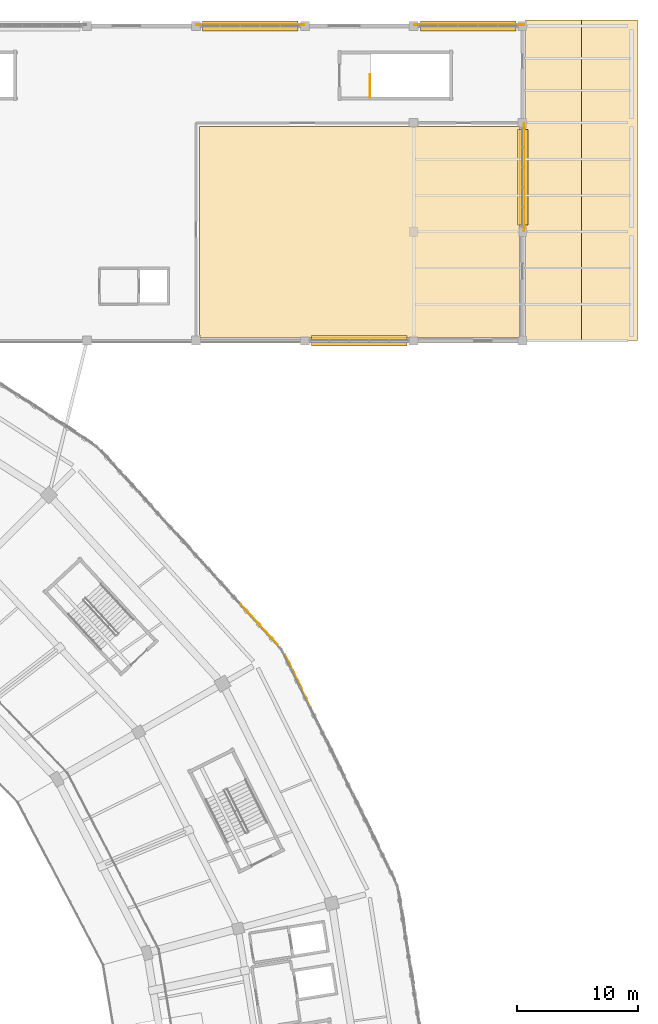
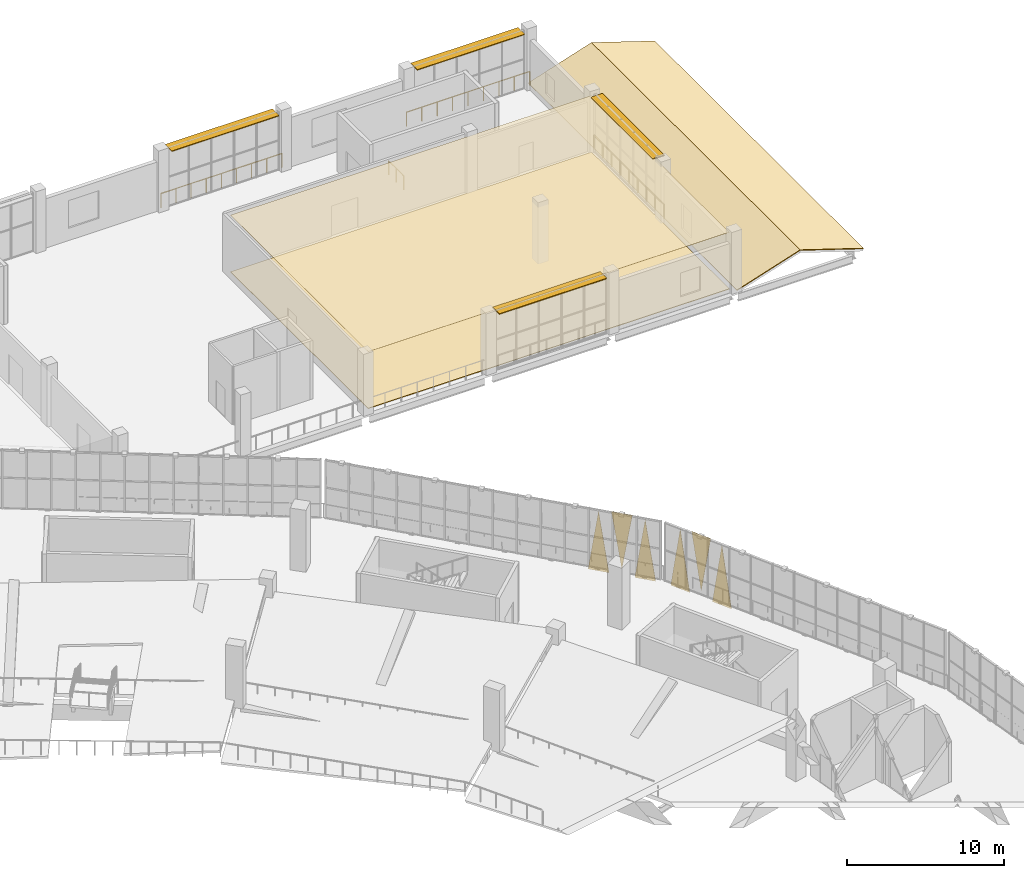
# One storey, part 151 of 152: 10 coverings, 4 railings, 4 shading devices.
"""IFC4 building model written with IfcOpenShell, lengths in metres."""

from ifc_helpers import new_model, si_unit, direction, frame, origin, origin_2d, place, context, subcontext, project, spatial, polyline, rectangle, circle, outline, extrude, material, layer, layer_set, type_object, element, save


model = new_model("IFC4")

# Units and contexts
model_context = context("Model", 3, precision=1e-05, world=origin(), true_north=direction((0.0, 1.0)))
body_context = subcontext(model_context, "Body", "Model", "MODEL_VIEW")
ifc_project = project(units=[si_unit("LENGTHUNIT", "METRE"), si_unit("AREAUNIT", "SQUARE_METRE"), si_unit("VOLUMEUNIT", "CUBIC_METRE"), si_unit("PLANEANGLEUNIT", "RADIAN"), si_unit("MASSUNIT", "GRAM", prefix="KILO")], contexts=[model_context])

# Site, building, storey
site_placement = place(None, origin())
site = spatial("IfcSite", under=ifc_project, at=site_placement, CompositionType="ELEMENT")
building_placement = place(site_placement, origin())
building = spatial("IfcBuilding", under=site, at=building_placement, Name="Zevraka Park Crest Stadium", CompositionType="ELEMENT")
storey_placement = place(building_placement, frame((0.0, 0.0, 15.0)))
storey = spatial("IfcBuildingStorey", under=building, at=storey_placement, Name="L03", CompositionType="ELEMENT", Elevation=15.0)

# Coverings
ifc_material_1 = material(Name="Architectural golden-bronze perforated aluminium", Category="aluminium")
ifc_layer_1 = layer(ifc_material_1, 0.034912109375)
ifc_layer_set_1 = layer_set([ifc_layer_1], Name="Architectural golden-bronze perforated aluminium")
covering_type_1 = type_object("IfcCoveringType", Name="CLD01", PredefinedType="CLADDING", material=ifc_layer_set_1)
covering_1_placement = place(storey_placement, frame((197.423095703125, 127.845947265625, -0.260009765625), z_axis=(0.897547278624, 0.440918200115, 0.00015310664), x_axis=(-0.440918205283, 0.897547289144, 0.0)))
element("IfcCovering", 1, at=covering_1_placement, inside=storey, type_object=covering_type_1, Name="Triangular Golden-Bronze Perforated Cladding L03-01-11", PredefinedType="CLADDING", context=body_context, shape_type="SweptSolid", body=[
    extrude(outline(polyline([(0.0, 0.0), (1.4451819489774211, 1.3552527156068805e-20), (0.7222584471907869, 4.62011724165157), (0.0, 0.0)])), origin(), (0.0, 0.0, -1.0), 0.034912109375),
])
covering_2_placement = place(storey_placement, frame((196.0791015625, 130.583984375, 4.52001953125), z_axis=(-0.897581292576, -0.440848944339, 0.000177462733), x_axis=(0.440848951281, -0.89758130671, 0.0)))
element("IfcCovering", 2, at=covering_2_placement, inside=storey, type_object=covering_type_1, Name="Triangular Golden-Bronze Perforated Cladding L03-01-12", PredefinedType="CLADDING", context=body_context, shape_type="SweptSolid", body=[
    extrude(outline(polyline([(0.0, 0.0), (1.4448551794759072, 1.3552527156068805e-20), (0.7225967890141295, -4.300048895835768), (0.0, 0.0)])), origin(), (0.0, 0.0, -1.0), 0.034912109375),
])
covering_3_placement = place(storey_placement, frame((196.008056640625, 130.72705078125, -0.260009765625), z_axis=(-0.897848668856, -0.440304175898, 2.2811457e-05), x_axis=(-0.440304176012, 0.89784866909, 0.0)))
element("IfcCovering", 3, at=covering_3_placement, inside=storey, type_object=covering_type_1, Name="Triangular Golden-Bronze Perforated Cladding L03-01-13", PredefinedType="CLADDING", context=body_context, shape_type="SweptSolid", body=[
    extrude(outline(polyline([(0.0, 0.0), (1.4444249288858595, -1.6940658945086007e-21), (0.7227046151817446, -4.620117188702069), (0.0, 0.0)])), origin(), (0.0, 0.0, -1.0), 0.034912109375),
])
covering_4_placement = place(storey_placement, frame((194.781005859375, 132.89208984375, -0.260009765625), z_axis=(0.740003442257, 0.672603081417, 1.7771166e-05), x_axis=(-0.672603081524, 0.740003442374, 0.0)))
element("IfcCovering", 4, at=covering_4_placement, inside=storey, type_object=covering_type_1, Name="Triangular Golden-Bronze Perforated Cladding L03-02-1", PredefinedType="CLADDING", context=body_context, shape_type="SweptSolid", body=[
    extrude(outline(polyline([(0.0, 0.0), (1.394564353058445, 0.0), (0.6971918440777609, 4.620117188229551), (0.0, 0.0)])), origin(), (0.0, 0.0, -1.0), 0.034912109375),
])
covering_5_placement = place(storey_placement, frame((192.7958984375, 135.074951171875, 4.52001953125), z_axis=(0.73956786161, 0.67308198808, 0.000124082249), x_axis=(0.673081993261, -0.739567867303, 0.0)))
element("IfcCovering", 5, at=covering_5_placement, inside=storey, type_object=covering_type_1, Name="Triangular Golden-Bronze Perforated Cladding L03-02-2", PredefinedType="CLADDING", context=body_context, shape_type="SweptSolid", body=[
    extrude(outline(polyline([(0.0, 0.0), (1.3953856941325256, 0.0), (0.6980133844318637, 4.300048861227647), (0.0, 0.0)])), origin(), (0.0, 0.0, -1.0), 0.034912109375),
])
covering_6_placement = place(storey_placement, frame((192.68798828125, 135.194091796875, -0.260009765625), z_axis=(0.740003442257, 0.672603081417, 1.7771166e-05), x_axis=(-0.672603081524, 0.740003442374, 0.0)))
element("IfcCovering", 6, at=covering_6_placement, inside=storey, type_object=covering_type_1, Name="Triangular Golden-Bronze Perforated Cladding L03-02-3", PredefinedType="CLADDING", context=body_context, shape_type="SweptSolid", body=[
    extrude(outline(polyline([(0.0, 0.0), (1.394564353058445, 0.0), (0.6971918440777609, 4.620117188229551), (0.0, 0.0)])), origin(), (0.0, 0.0, -1.0), 0.034912109375),
])
ifc_material_2 = material(Name="Perforated acoustic mineral-fibre suspended ceiling", Category="other")
ifc_layer_2 = layer(ifc_material_2, 0.02490234375)
ifc_layer_set_2 = layer_set([ifc_layer_2], Name="Perforated acoustic mineral-fibre suspended ceiling")
covering_type_2 = type_object("IfcCoveringType", Name="CLG01", PredefinedType="CEILING", material=ifc_layer_set_2)
covering_7_placement = place(storey_placement, frame((0.0, 0.0, 4.39990234375)))
element("IfcCovering", 7, at=covering_7_placement, inside=storey, type_object=covering_type_2, Name="Acoustic Ceiling North Gate Upper Supporters Terrace Lounge L03-048", PredefinedType="CEILING", context=body_context, shape_type="SweptSolid", body=[
    extrude(outline(polyline([(214.794921875, 158.205078125), (188.318115234375, 158.2119140625), (188.306884765625, 175.681884765625), (214.777099609375, 175.693115234375), (214.794921875, 158.205078125)])), origin(), (0.0, 0.0, 1.0), 0.025146484375),
])
ifc_material_3 = material(Name="Honed terrazzo and slip-resistant sports flooring", Category="other")
ifc_layer_3 = layer(ifc_material_3, 0.0400390625)
ifc_layer_set_3 = layer_set([ifc_layer_3], Name="Honed terrazzo and slip-resistant sports flooring")
covering_type_3 = type_object("IfcCoveringType", Name="FLR01", PredefinedType="FLOORING", material=ifc_layer_set_3)
covering_8_placement = place(storey_placement, origin())
element("IfcCovering", 8, at=covering_8_placement, inside=storey, type_object=covering_type_3, Name="Terrazzo Floor Finish North Gate Upper Supporters Terrace Lounge L03-048", PredefinedType="FLOORING", context=body_context, shape_type="SweptSolid", body=[
    extrude(outline(polyline([(214.794921875, 158.205078125), (188.318115234375, 158.2119140625), (188.306884765625, 175.681884765625), (214.777099609375, 175.693115234375), (214.794921875, 158.205078125)])), origin(), (0.0, 0.0, 1.0), 0.0400390625),
])

# Railings
ifc_material_4 = material(Name="Galvanised and bronze-finished steel balustrade", Category="steel")
railing_type_1 = type_object("IfcRailingType", Name="GR01", PredefinedType="GUARDRAIL", material=ifc_material_4)
railing_1_placement = place(storey_placement, frame((188.06591796875, 184.10498046875, 0.0)))
element("IfcRailing", 9, at=railing_1_placement, inside=storey, type_object=railing_type_1, Name="Deck Edge Protection Guardrail GR01 L03-13", PredefinedType="GUARDRAIL", context=body_context, shape_type="SweptSolid", body=[
    extrude(circle(Radius=0.02392578125, at=origin_2d()), frame((0.0, 0.0, 1.076171875), z_axis=(1.0, 0.0, 0.0), x_axis=(0.0, 1.0, 0.0)), (0.0, 0.0, 1.0), 8.8681640625),
    extrude(circle(Radius=0.02099609375, at=origin_2d()), origin(), (0.0, 0.0, 1.0), 1.052001953125),
    extrude(circle(Radius=0.02099609375, at=origin_2d()), frame((1.1083984375, 0.0, 0.0)), (0.0, 0.0, 1.0), 1.052001953125),
    extrude(circle(Radius=0.02099609375, at=origin_2d()), frame((2.217041015625, 0.0, 0.0)), (0.0, 0.0, 1.0), 1.052001953125),
    extrude(circle(Radius=0.02099609375, at=origin_2d()), frame((3.32568359375, 0.0, 0.0)), (0.0, 0.0, 1.0), 1.052001953125),
    extrude(circle(Radius=0.02099609375, at=origin_2d()), frame((4.43408203125, 0.0, 0.0)), (0.0, 0.0, 1.0), 1.052001953125),
    extrude(circle(Radius=0.02099609375, at=origin_2d()), frame((5.54248046875, 0.0, 0.0)), (0.0, 0.0, 1.0), 1.052001953125),
    extrude(circle(Radius=0.02099609375, at=origin_2d()), frame((6.651123046875, 0.0, 0.0)), (0.0, 0.0, 1.0), 1.052001953125),
    extrude(circle(Radius=0.02099609375, at=origin_2d()), frame((7.759765625, 0.0, 0.0)), (0.0, 0.0, 1.0), 1.052001953125),
    extrude(circle(Radius=0.02099609375, at=origin_2d()), frame((8.8681640625, 0.0, 0.0)), (0.0, 0.0, 1.0), 1.052001953125),
])
railing_2_placement = place(storey_placement, frame((206.06591796875, 184.10498046875, 0.0)))
element("IfcRailing", 10, at=railing_2_placement, inside=storey, type_object=railing_type_1, Name="Deck Edge Protection Guardrail GR01 L03-14", PredefinedType="GUARDRAIL", context=body_context, shape_type="SweptSolid", body=[
    extrude(circle(Radius=0.02392578125, at=origin_2d()), frame((0.0, 0.0, 1.076171875), z_axis=(1.0, 0.0, 0.0), x_axis=(0.0, 1.0, 0.0)), (0.0, 0.0, 1.0), 9.0390625),
    extrude(circle(Radius=0.02099609375, at=origin_2d()), origin(), (0.0, 0.0, 1.0), 1.052001953125),
    extrude(circle(Radius=0.02099609375, at=origin_2d()), frame((1.1298828125, 0.0, 0.0)), (0.0, 0.0, 1.0), 1.052001953125),
    extrude(circle(Radius=0.02099609375, at=origin_2d()), frame((2.259765625, 0.0, 0.0)), (0.0, 0.0, 1.0), 1.052001953125),
    extrude(circle(Radius=0.02099609375, at=origin_2d()), frame((3.3896484375, 0.0, 0.0)), (0.0, 0.0, 1.0), 1.052001953125),
    extrude(circle(Radius=0.02099609375, at=origin_2d()), frame((4.51953125, 0.0, 0.0)), (0.0, 0.0, 1.0), 1.052001953125),
    extrude(circle(Radius=0.02099609375, at=origin_2d()), frame((5.6494140625, 0.0, 0.0)), (0.0, 0.0, 1.0), 1.052001953125),
    extrude(circle(Radius=0.02099609375, at=origin_2d()), frame((6.779296875, 0.0, 0.0)), (0.0, 0.0, 1.0), 1.052001953125),
    extrude(circle(Radius=0.02099609375, at=origin_2d()), frame((7.9091796875, 0.0, 0.0)), (0.0, 0.0, 1.0), 1.052001953125),
    extrude(circle(Radius=0.02099609375, at=origin_2d()), frame((9.0390625, 0.0, 0.0)), (0.0, 0.0, 1.0), 1.052001953125),
])
railing_3_placement = place(storey_placement, frame((215.10498046875, 175.93408203125, 0.0)))
element("IfcRailing", 11, at=railing_3_placement, inside=storey, type_object=railing_type_1, Name="Deck Edge Protection Guardrail GR01 L03-15", PredefinedType="GUARDRAIL", context=body_context, shape_type="SweptSolid", body=[
    extrude(circle(Radius=0.02392578125, at=origin_2d()), frame((0.0, 0.0, 1.076171875), z_axis=(0.0, -1.0, 0.0), x_axis=(1.0, 0.0, 0.0)), (0.0, 0.0, 1.0), 8.8681640625),
    extrude(circle(Radius=0.02099609375, at=origin_2d()), origin(), (0.0, 0.0, 1.0), 1.052001953125),
    extrude(circle(Radius=0.02099609375, at=origin_2d()), frame((0.0, -1.1083984375, 0.0)), (0.0, 0.0, 1.0), 1.052001953125),
    extrude(circle(Radius=0.02099609375, at=origin_2d()), frame((0.0, -2.217041015625, 0.0)), (0.0, 0.0, 1.0), 1.052001953125),
    extrude(circle(Radius=0.02099609375, at=origin_2d()), frame((0.0, -3.32568359375, 0.0)), (0.0, 0.0, 1.0), 1.052001953125),
    extrude(circle(Radius=0.02099609375, at=origin_2d()), frame((0.0, -4.43408203125, 0.0)), (0.0, 0.0, 1.0), 1.052001953125),
    extrude(circle(Radius=0.02099609375, at=origin_2d()), frame((0.0, -5.54248046875, 0.0)), (0.0, 0.0, 1.0), 1.052001953125),
    extrude(circle(Radius=0.02099609375, at=origin_2d()), frame((0.0, -6.651123046875, 0.0)), (0.0, 0.0, 1.0), 1.052001953125),
    extrude(circle(Radius=0.02099609375, at=origin_2d()), frame((0.0, -7.759765625, 0.0)), (0.0, 0.0, 1.0), 1.052001953125),
    extrude(circle(Radius=0.02099609375, at=origin_2d()), frame((0.0, -8.8681640625, 0.0)), (0.0, 0.0, 1.0), 1.052001953125),
])
ifc_material_5 = material(Name="Powder-coated tubular steel stairwell guard", Category="steel")
railing_type_2 = type_object("IfcRailingType", Name="GR03", PredefinedType="GUARDRAIL", material=ifc_material_5)
railing_4_placement = place(storey_placement, frame((202.39990234375, 178.090087890625, 0.0)))
element("IfcRailing", 12, at=railing_4_placement, inside=storey, type_object=railing_type_2, Name="L03 ST45 top well guard 1", PredefinedType="GUARDRAIL", context=body_context, shape_type="SweptSolid", body=[
    extrude(circle(Radius=0.02392578125, at=origin_2d()), frame((0.0, 0.0, 1.076171875), z_axis=(0.0, 1.0, 0.0), x_axis=(-1.0, 0.0, 0.0)), (0.0, 0.0, 1.0), 1.909912109375),
    extrude(circle(Radius=0.02099609375, at=origin_2d()), origin(), (0.0, 0.0, 1.0), 1.052001953125),
    extrude(circle(Radius=0.02099609375, at=origin_2d()), frame((0.0, 0.955078125, 0.0)), (0.0, 0.0, 1.0), 1.052001953125),
    extrude(circle(Radius=0.02099609375, at=origin_2d()), frame((0.0, 1.909912109375, 0.0)), (0.0, 0.0, 1.0), 1.052001953125),
])

# Coverings
ifc_material_6 = material(Name="Insulated standing-seam acoustic aluminium roofing", Category="aluminium")
ifc_layer_4 = layer(ifc_material_6, 0.06005859375)
ifc_layer_set_4 = layer_set([ifc_layer_4], Name="Insulated standing-seam acoustic aluminium roofing")
covering_type_4 = type_object("IfcCoveringType", Name="RCV01", PredefinedType="ROOFING", material=ifc_layer_set_4)
covering_9_placement = place(storey_placement, frame((215.219970703125, 184.5, -0.090087890625), z_axis=(-0.307593674999, 0.0, 0.95151780388), x_axis=(0.0, -1.0, 0.0)))
element("IfcCovering", 13, at=covering_9_placement, inside=storey, type_object=covering_type_4, Name="Pavilion Wide-Eave Standing-Seam Roofing NGATE-STEP-ROOF-W", PredefinedType="ROOFING", context=body_context, shape_type="SweptSolid", body=[
    extrude(outline(polyline([(0.0, 0.0), (26.5, 0.0), (26.5, 4.8765632128264285), (0.0, 4.8765632128264285), (0.0, 0.0)])), origin(), (0.0, 0.0, -1.0), 0.06005859375),
])
covering_10_placement = place(storey_placement, frame((224.5, 158.0, -0.090087890625), z_axis=(0.307608328457, 0.0, 0.951513066786), x_axis=(0.0, 1.0, 0.0)))
element("IfcCovering", 14, at=covering_10_placement, inside=storey, type_object=covering_type_4, Name="Pavilion Wide-Eave Standing-Seam Roofing NGATE-STEP-ROOF-E", PredefinedType="ROOFING", context=body_context, shape_type="SweptSolid", body=[
    extrude(outline(polyline([(0.0, 0.0), (26.5, 0.0), (26.5, 4.876330909253335), (0.0, 4.876330909253335), (0.0, 0.0)])), origin(), (0.0, 0.0, -1.0), 0.06005859375),
])

# Shading devices
ifc_material_7 = material(Name="Architectural golden-bronze anodised bronze", Category="aluminium")
ifc_layer_5 = layer(ifc_material_7, 0.06005859375)
ifc_layer_set_5 = layer_set([ifc_layer_5], Name="Architectural golden-bronze anodised bronze")
shading_device_type = type_object("IfcShadingDeviceType", Name="SHD01", PredefinedType="USERDEFINED", material=ifc_layer_set_5)
for number, where, z_axis, x_axis, name in (
    (15, (192.5, 184.0, 4.4599609375), (0.0, 0.0, 1.0), (1.0, 0.0, 0.0), "Wing Bronze Solar Screen SHD01 L03-NGATE-N3-4"),
    (16, (210.5, 184.0, 4.4599609375), (0.0, 0.0, 1.0), (1.0, 0.0, 0.0), "Wing Bronze Solar Screen SHD01 L03-NGATE-N3-6"),
    (17, (215.0, 171.5, 4.4599609375), (0.0, 0.0, 1.0), (0.0, -1.0, 0.0), "Wing Bronze Solar Screen SHD01 L03-NGATE-E3-2"),
    (18, (201.5, 158.0, 4.4599609375), (0.0, 0.0, 1.0), (-1.0, 0.0, 0.0), "Wing Bronze Solar Screen SHD01 L03-NGATE-S3-2"),
):
    element("IfcShadingDevice", number, at=place(storey_placement, frame(where, z_axis=z_axis, x_axis=x_axis)), inside=storey, type_object=shading_device_type, Name=name, ObjectType="SOLAR SCREEN", PredefinedType="USERDEFINED", context=body_context, shape_type="SweptSolid", body=[
        extrude(rectangle(XDim=7.8701171875, YDim=0.85009765625, at=origin_2d()), origin(), (0.0, 0.0, 1.0), 0.06005859375),
    ])

save(model, "model.ifc")
